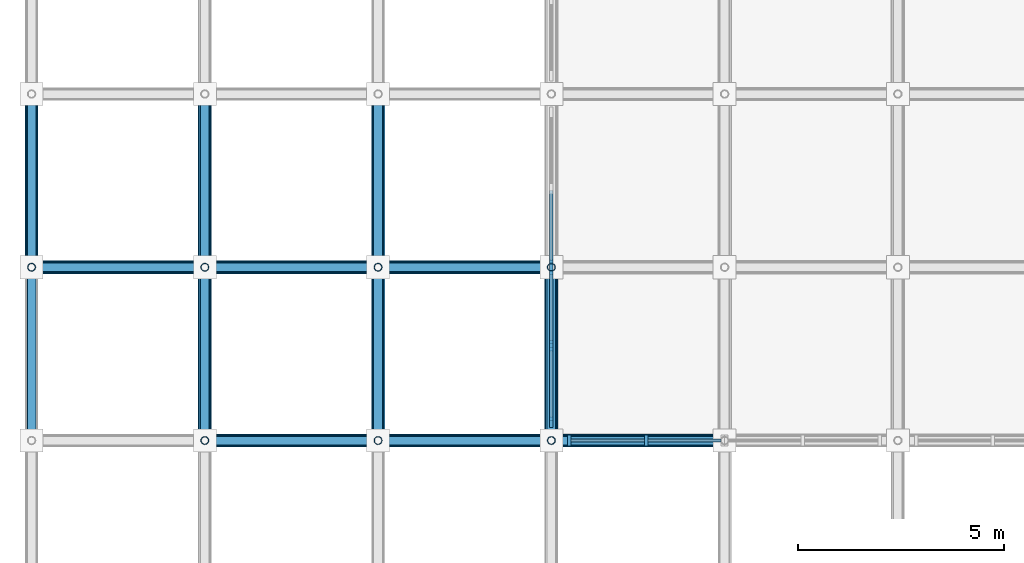
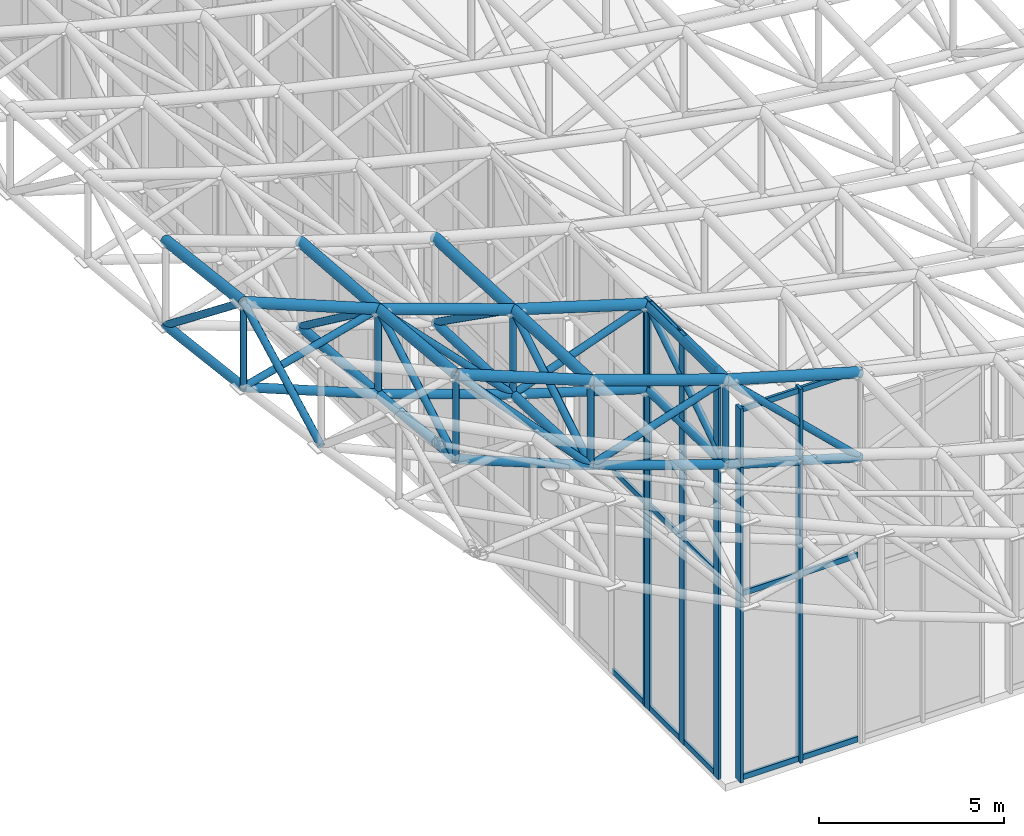
# One storey, part 4 of 93: 64 members, 3 elements without a shape of their own.
"""IFC4 building model written with IfcOpenShell, lengths in metres."""

from ifc_helpers import new_model, si_unit, direction, frame, origin, origin_2d, place, context, subcontext, project, spatial, rectangle, hollow_circle, extrude, material, material_profile, profile_set, type_object, element, aggregate, save


model = new_model("IFC4")

# Units and contexts
model_context = context("Model", 3, precision=1e-05, world=origin(), true_north=direction((0.0, 1.0)))
body_context = subcontext(model_context, "Body", "Model", "MODEL_VIEW")
ifc_project = project(units=[si_unit("LENGTHUNIT", "METRE"), si_unit("AREAUNIT", "SQUARE_METRE"), si_unit("VOLUMEUNIT", "CUBIC_METRE"), si_unit("PLANEANGLEUNIT", "RADIAN"), si_unit("MASSUNIT", "GRAM", prefix="KILO")], contexts=[model_context])

# Site, building, storey
site_placement = place(None, origin())
site = spatial("IfcSite", under=ifc_project, at=site_placement, CompositionType="ELEMENT")
building_placement = place(site_placement, origin())
building = spatial("IfcBuilding", under=site, at=building_placement, Name="Cumbredor Promenade Congress Hotel", CompositionType="ELEMENT")
storey_placement = place(building_placement, frame((0.0, 0.0, 21.840087890625)))
storey = spatial("IfcBuildingStorey", under=building, at=storey_placement, Name="L06", CompositionType="ELEMENT", Elevation=21.840087890625)

# Curtain wall, members
ifc_material_1 = material(Name="Thermally broken anodized aluminium and low-E glass", Category="aluminium")
curtain_wall_type = type_object("IfcCurtainWallType", Name="Stepped Pavilion Clerestory Curtain Wall CW-06", PredefinedType="NOTDEFINED", material=ifc_material_1)
curtain_wall_1_placement = place(storey_placement, origin())
curtain_wall_1 = element("IfcCurtainWall", 1, at=curtain_wall_1_placement, inside=storey, type_object=curtain_wall_type, Name="Plenary Congress Hall S Glazed Clerestory 1", PredefinedType="NOTDEFINED")
ifc_material_2 = material(Name="Thermally broken anodized aluminium", Category="aluminium")
ifc_material_profile_1 = material_profile(ifc_material_2, rectangle(XDim=0.0849609375, YDim=0.260009765625, at=origin_2d()), Name="ALU MULLION CLERESTORY 85x260")
ifc_profile_set_1 = profile_set([ifc_material_profile_1], Name="Thermally broken anodized aluminium")
member_type_1 = type_object("IfcMemberType", Name="Curtain Wall Mullion ML-04", PredefinedType="MULLION", material=ifc_profile_set_1)
member_1_placement = place(storey_placement, frame((8.840087890625, 8.39990234375, -0.01806640625), z_axis=(0.0, 0.0, 1.0), x_axis=(1.0, 0.0, 0.0)))
member_1 = element("IfcMember", 2, at=member_1_placement, type_object=member_type_1, Name="Plenary Congress Hall S Glazed Clerestory 1 Mullion 1", PredefinedType="MULLION", context=body_context, shape_type="SweptSolid", body=[
    extrude(rectangle(XDim=0.0849609375, YDim=0.260009765625, at=origin_2d()), origin(), (0.0, 0.0, 1.0), 12.32763671875),
])
member_2_placement = place(storey_placement, frame((10.699951171875, 8.39990234375, -0.01806640625), z_axis=(0.0, 0.0, 1.0), x_axis=(1.0, 0.0, 0.0)))
member_2 = element("IfcMember", 3, at=member_2_placement, type_object=member_type_1, Name="Plenary Congress Hall S Glazed Clerestory 1 Mullion 2", PredefinedType="MULLION", context=body_context, shape_type="SweptSolid", body=[
    extrude(rectangle(XDim=0.0849609375, YDim=0.260009765625, at=origin_2d()), origin(), (0.0, 0.0, 1.0), 12.32763671875),
])

curtain_wall_2_placement = place(storey_placement, origin())
curtain_wall_2 = element("IfcCurtainWall", 4, at=curtain_wall_2_placement, inside=storey, type_object=curtain_wall_type, Name="Plenary Congress Hall W Glazed Clerestory 1", PredefinedType="NOTDEFINED")
member_3_placement = place(storey_placement, frame((8.39990234375, 8.840087890625, -0.01806640625), z_axis=(0.0, 0.0, 1.0), x_axis=(1.0, 0.0, 0.0)))
member_3 = element("IfcMember", 5, at=member_3_placement, type_object=member_type_1, Name="Plenary Congress Hall W Glazed Clerestory 1 Mullion 1", PredefinedType="MULLION", context=body_context, shape_type="SweptSolid", body=[
    extrude(rectangle(XDim=0.0849609375, YDim=0.260009765625, at=origin_2d()), origin(), (0.0, 0.0, 1.0), 13.506103515625),
])
member_4_placement = place(storey_placement, frame((8.39990234375, 10.699951171875, -0.01806640625), z_axis=(0.0, 0.0, 1.0), x_axis=(1.0, 0.0, 0.0)))
member_4 = element("IfcMember", 6, at=member_4_placement, type_object=member_type_1, Name="Plenary Congress Hall W Glazed Clerestory 1 Mullion 2", PredefinedType="MULLION", context=body_context, shape_type="SweptSolid", body=[
    extrude(rectangle(XDim=0.0849609375, YDim=0.260009765625, at=origin_2d()), origin(), (0.0, 0.0, 1.0), 13.506103515625),
])
member_5_placement = place(storey_placement, frame((8.39990234375, 12.56005859375, -0.01806640625), z_axis=(0.0, 0.0, 1.0), x_axis=(1.0, 0.0, 0.0)))
member_5 = element("IfcMember", 7, at=member_5_placement, type_object=member_type_1, Name="Plenary Congress Hall W Glazed Clerestory 1 Mullion 3", PredefinedType="MULLION", context=body_context, shape_type="SweptSolid", body=[
    extrude(rectangle(XDim=0.0849609375, YDim=0.260009765625, at=origin_2d()), origin(), (0.0, 0.0, 1.0), 13.506103515625),
])

# Curtain wall, member
curtain_wall_3_placement = place(storey_placement, origin())
curtain_wall_3 = element("IfcCurtainWall", 8, at=curtain_wall_3_placement, inside=storey, type_object=curtain_wall_type, Name="Plenary Congress Hall W Glazed Clerestory 2", PredefinedType="NOTDEFINED")
member_6_placement = place(storey_placement, frame((8.39990234375, 12.639892578125, -0.01806640625), z_axis=(0.0, 0.0, 1.0), x_axis=(1.0, 0.0, 0.0)))
member_6 = element("IfcMember", 9, at=member_6_placement, type_object=member_type_1, Name="Plenary Congress Hall W Glazed Clerestory 2 Mullion 1", PredefinedType="MULLION", context=body_context, shape_type="SweptSolid", body=[
    extrude(rectangle(XDim=0.0849609375, YDim=0.260009765625, at=origin_2d()), origin(), (0.0, 0.0, 1.0), 13.466064453125),
])

# Member
ifc_material_profile_2 = material_profile(ifc_material_2, rectangle(XDim=0.080078125, YDim=0.179931640625, at=origin_2d()), Name="ALU TRANSOM 80x180")
ifc_profile_set_2 = profile_set([ifc_material_profile_2], Name="Thermally broken anodized aluminium")
member_type_2 = type_object("IfcMemberType", Name="Curtain Wall Transom TR-03", PredefinedType="USERDEFINED", material=ifc_profile_set_2)
member_7_placement = place(storey_placement, frame((8.882568359375, 8.39990234375, 0.079833984375), z_axis=(1.0, 0.0, 0.0), x_axis=(0.0, 1.0, 0.0)))
member_7 = element("IfcMember", 10, at=member_7_placement, type_object=member_type_2, Name="Plenary Congress Hall S Glazed Clerestory 1 Transom 1.1", ObjectType="TRANSOM", PredefinedType="USERDEFINED", context=body_context, shape_type="SweptSolid", body=[
    extrude(rectangle(XDim=0.080078125, YDim=0.179931640625, at=origin_2d()), origin(), (0.0, 0.0, 1.0), 1.77490234375),
])

member_8_placement = place(storey_placement, frame((8.882568359375, 8.39990234375, 6.139892578125), z_axis=(1.0, 0.0, 0.0), x_axis=(0.0, 1.0, 0.0)))
member_8 = element("IfcMember", 11, at=member_8_placement, type_object=member_type_2, Name="Plenary Congress Hall S Glazed Clerestory 1 Transom 1.2", ObjectType="TRANSOM", PredefinedType="USERDEFINED", context=body_context, shape_type="SweptSolid", body=[
    extrude(rectangle(XDim=0.080078125, YDim=0.179931640625, at=origin_2d()), origin(), (0.0, 0.0, 1.0), 1.77490234375),
])

member_9_placement = place(storey_placement, frame((8.882568359375, 8.39990234375, 12.2099609375), z_axis=(1.0, 0.0, 0.0), x_axis=(0.0, 1.0, 0.0)))
member_9 = element("IfcMember", 12, at=member_9_placement, type_object=member_type_2, Name="Plenary Congress Hall S Glazed Clerestory 1 Transom 1.3", ObjectType="TRANSOM", PredefinedType="USERDEFINED", context=body_context, shape_type="SweptSolid", body=[
    extrude(rectangle(XDim=0.080078125, YDim=0.179931640625, at=origin_2d()), origin(), (0.0, 0.0, 1.0), 1.77490234375),
])

member_10_placement = place(storey_placement, frame((10.742431640625, 8.39990234375, 0.079833984375), z_axis=(1.0, 0.0, 0.0), x_axis=(0.0, 1.0, 0.0)))
member_10 = element("IfcMember", 13, at=member_10_placement, type_object=member_type_2, Name="Plenary Congress Hall S Glazed Clerestory 1 Transom 2.1", ObjectType="TRANSOM", PredefinedType="USERDEFINED", context=body_context, shape_type="SweptSolid", body=[
    extrude(rectangle(XDim=0.080078125, YDim=0.179931640625, at=origin_2d()), origin(), (0.0, 0.0, 1.0), 1.775146484375),
])

member_11_placement = place(storey_placement, frame((10.742431640625, 8.39990234375, 6.139892578125), z_axis=(1.0, 0.0, 0.0), x_axis=(0.0, 1.0, 0.0)))
member_11 = element("IfcMember", 14, at=member_11_placement, type_object=member_type_2, Name="Plenary Congress Hall S Glazed Clerestory 1 Transom 2.2", ObjectType="TRANSOM", PredefinedType="USERDEFINED", context=body_context, shape_type="SweptSolid", body=[
    extrude(rectangle(XDim=0.080078125, YDim=0.179931640625, at=origin_2d()), origin(), (0.0, 0.0, 1.0), 1.775146484375),
])

member_12_placement = place(storey_placement, frame((10.742431640625, 8.39990234375, 12.2099609375), z_axis=(1.0, 0.0, 0.0), x_axis=(0.0, 1.0, 0.0)))
member_12 = element("IfcMember", 15, at=member_12_placement, type_object=member_type_2, Name="Plenary Congress Hall S Glazed Clerestory 1 Transom 2.3", ObjectType="TRANSOM", PredefinedType="USERDEFINED", context=body_context, shape_type="SweptSolid", body=[
    extrude(rectangle(XDim=0.080078125, YDim=0.179931640625, at=origin_2d()), origin(), (0.0, 0.0, 1.0), 1.775146484375),
])

aggregate(curtain_wall_1, [member_1, member_2, member_7, member_8, member_9, member_10, member_11, member_12])

member_13_placement = place(storey_placement, frame((8.39990234375, 8.882568359375, 0.079833984375), z_axis=(0.0, 1.0, 0.0), x_axis=(-1.0, 0.0, 0.0)))
member_13 = element("IfcMember", 16, at=member_13_placement, type_object=member_type_2, Name="Plenary Congress Hall W Glazed Clerestory 1 Transom 1.1", ObjectType="TRANSOM", PredefinedType="USERDEFINED", context=body_context, shape_type="SweptSolid", body=[
    extrude(rectangle(XDim=0.080078125, YDim=0.179931640625, at=origin_2d()), origin(), (0.0, 0.0, 1.0), 1.77490234375),
])

member_14_placement = place(storey_placement, frame((8.39990234375, 8.882568359375, 6.72998046875), z_axis=(0.0, 1.0, 0.0), x_axis=(-1.0, 0.0, 0.0)))
member_14 = element("IfcMember", 17, at=member_14_placement, type_object=member_type_2, Name="Plenary Congress Hall W Glazed Clerestory 1 Transom 1.2", ObjectType="TRANSOM", PredefinedType="USERDEFINED", context=body_context, shape_type="SweptSolid", body=[
    extrude(rectangle(XDim=0.080078125, YDim=0.179931640625, at=origin_2d()), origin(), (0.0, 0.0, 1.0), 1.77490234375),
])

member_15_placement = place(storey_placement, frame((8.39990234375, 8.882568359375, 13.389892578125), z_axis=(0.0, 1.0, 0.0), x_axis=(-1.0, 0.0, 0.0)))
member_15 = element("IfcMember", 18, at=member_15_placement, type_object=member_type_2, Name="Plenary Congress Hall W Glazed Clerestory 1 Transom 1.3", ObjectType="TRANSOM", PredefinedType="USERDEFINED", context=body_context, shape_type="SweptSolid", body=[
    extrude(rectangle(XDim=0.080078125, YDim=0.179931640625, at=origin_2d()), origin(), (0.0, 0.0, 1.0), 1.77490234375),
])

member_16_placement = place(storey_placement, frame((8.39990234375, 10.742431640625, 0.079833984375), z_axis=(0.0, 1.0, 0.0), x_axis=(-1.0, 0.0, 0.0)))
member_16 = element("IfcMember", 19, at=member_16_placement, type_object=member_type_2, Name="Plenary Congress Hall W Glazed Clerestory 1 Transom 2.1", ObjectType="TRANSOM", PredefinedType="USERDEFINED", context=body_context, shape_type="SweptSolid", body=[
    extrude(rectangle(XDim=0.080078125, YDim=0.179931640625, at=origin_2d()), origin(), (0.0, 0.0, 1.0), 1.775146484375),
])

member_17_placement = place(storey_placement, frame((8.39990234375, 10.742431640625, 6.72998046875), z_axis=(0.0, 1.0, 0.0), x_axis=(-1.0, 0.0, 0.0)))
member_17 = element("IfcMember", 20, at=member_17_placement, type_object=member_type_2, Name="Plenary Congress Hall W Glazed Clerestory 1 Transom 2.2", ObjectType="TRANSOM", PredefinedType="USERDEFINED", context=body_context, shape_type="SweptSolid", body=[
    extrude(rectangle(XDim=0.080078125, YDim=0.179931640625, at=origin_2d()), origin(), (0.0, 0.0, 1.0), 1.775146484375),
])

member_18_placement = place(storey_placement, frame((8.39990234375, 10.742431640625, 13.389892578125), z_axis=(0.0, 1.0, 0.0), x_axis=(-1.0, 0.0, 0.0)))
member_18 = element("IfcMember", 21, at=member_18_placement, type_object=member_type_2, Name="Plenary Congress Hall W Glazed Clerestory 1 Transom 2.3", ObjectType="TRANSOM", PredefinedType="USERDEFINED", context=body_context, shape_type="SweptSolid", body=[
    extrude(rectangle(XDim=0.080078125, YDim=0.179931640625, at=origin_2d()), origin(), (0.0, 0.0, 1.0), 1.775146484375),
])

aggregate(curtain_wall_2, [member_3, member_4, member_5, member_13, member_14, member_15, member_16, member_17, member_18])

member_19_placement = place(storey_placement, frame((8.39990234375, 12.6826171875, 0.079833984375), z_axis=(0.0, 1.0, 0.0), x_axis=(-1.0, 0.0, 0.0)))
member_19 = element("IfcMember", 22, at=member_19_placement, type_object=member_type_2, Name="Plenary Congress Hall W Glazed Clerestory 2 Transom 1.1", ObjectType="TRANSOM", PredefinedType="USERDEFINED", context=body_context, shape_type="SweptSolid", body=[
    extrude(rectangle(XDim=0.080078125, YDim=0.179931640625, at=origin_2d()), origin(), (0.0, 0.0, 1.0), 1.77490234375),
])

member_20_placement = place(storey_placement, frame((8.39990234375, 12.6826171875, 6.7099609375), z_axis=(0.0, 1.0, 0.0), x_axis=(-1.0, 0.0, 0.0)))
member_20 = element("IfcMember", 23, at=member_20_placement, type_object=member_type_2, Name="Plenary Congress Hall W Glazed Clerestory 2 Transom 1.2", ObjectType="TRANSOM", PredefinedType="USERDEFINED", context=body_context, shape_type="SweptSolid", body=[
    extrude(rectangle(XDim=0.080078125, YDim=0.179931640625, at=origin_2d()), origin(), (0.0, 0.0, 1.0), 1.77490234375),
])

aggregate(curtain_wall_3, [member_6, member_19, member_20])

# Members
ifc_material_3 = material(Name="Steel ASTM A500 Grade C", Category="steel")
ifc_material_profile_3 = material_profile(ifc_material_3, hollow_circle(Radius=0.136474609375, WallThickness=0.01611328125, at=origin_2d()), Name="CHS 273.0x16")
ifc_profile_set_3 = profile_set([ifc_material_profile_3], Name="Steel ASTM A500 Grade C")
member_type_3 = type_object("IfcMemberType", Name="Plenary Roof Space Frame Bottom Chord", PredefinedType="CHORD", material=ifc_profile_set_3)
member_21_placement = place(storey_placement, frame((0.0, 8.39990234375, 13.66845703125), z_axis=(0.929112256064, 0.0, -0.369797803713), x_axis=(0.0, 1.0, 0.0)))
element("IfcMember", 24, at=member_21_placement, inside=storey, type_object=member_type_3, Name="Plenary Congress Hall X Bottom Chord 2.3", PredefinedType="CHORD", context=body_context, shape_type="SweptSolid", body=[
    extrude(hollow_circle(Radius=0.136474609375, WallThickness=0.01611328125, at=origin_2d()), origin(), (0.0, 0.0, 1.0), 4.5205078125),
])
member_22_placement = place(storey_placement, frame((4.199951171875, 8.39990234375, 11.996826171875), z_axis=(0.945323333671, 0.0, -0.326134626829), x_axis=(0.0, 1.0, 0.0)))
element("IfcMember", 25, at=member_22_placement, inside=storey, type_object=member_type_3, Name="Plenary Congress Hall X Bottom Chord 3.3", PredefinedType="CHORD", context=body_context, shape_type="SweptSolid", body=[
    extrude(hollow_circle(Radius=0.136474609375, WallThickness=0.01611328125, at=origin_2d()), origin(), (0.0, 0.0, 1.0), 4.44287109375),
])
member_23_placement = place(storey_placement, frame((8.39990234375, 8.39990234375, 10.5478515625), z_axis=(0.959922473099, 0.0, -0.28026566975), x_axis=(0.0, 1.0, 0.0)))
element("IfcMember", 26, at=member_23_placement, inside=storey, type_object=member_type_3, Name="Plenary Congress Hall X Bottom Chord 4.3", PredefinedType="CHORD", context=body_context, shape_type="SweptSolid", body=[
    extrude(hollow_circle(Radius=0.136474609375, WallThickness=0.01611328125, at=origin_2d()), origin(), (0.0, 0.0, 1.0), 4.37548828125),
])
member_24_placement = place(storey_placement, frame((-4.199951171875, 12.60009765625, 14.967041015625), z_axis=(0.927417042186, 0.0, -0.374028915811), x_axis=(0.0, 1.0, 0.0)))
element("IfcMember", 27, at=member_24_placement, inside=storey, type_object=member_type_3, Name="Plenary Congress Hall X Bottom Chord 1.4", PredefinedType="CHORD", context=body_context, shape_type="SweptSolid", body=[
    extrude(hollow_circle(Radius=0.136474609375, WallThickness=0.01611328125, at=origin_2d()), origin(), (0.0, 0.0, 1.0), 4.528564453125),
])
member_25_placement = place(storey_placement, frame((0.0, 12.60009765625, 13.273193359375), z_axis=(0.942760446136, 0.0, -0.333470750145), x_axis=(0.0, 1.0, 0.0)))
element("IfcMember", 28, at=member_25_placement, inside=storey, type_object=member_type_3, Name="Plenary Congress Hall X Bottom Chord 2.4", PredefinedType="CHORD", context=body_context, shape_type="SweptSolid", body=[
    extrude(hollow_circle(Radius=0.136474609375, WallThickness=0.01611328125, at=origin_2d()), origin(), (0.0, 0.0, 1.0), 4.454833984375),
])
member_26_placement = place(storey_placement, frame((4.199951171875, 12.60009765625, 11.78759765625), z_axis=(0.95607892243, 0.0, -0.293109355165), x_axis=(0.0, 1.0, 0.0)))
element("IfcMember", 29, at=member_26_placement, inside=storey, type_object=member_type_3, Name="Plenary Congress Hall X Bottom Chord 3.4", PredefinedType="CHORD", context=body_context, shape_type="SweptSolid", body=[
    extrude(hollow_circle(Radius=0.136474609375, WallThickness=0.01611328125, at=origin_2d()), origin(), (0.0, 0.0, 1.0), 4.392822265625),
])
member_27_placement = place(storey_placement, frame((-4.199951171875, 12.60009765625, 14.967041015625), z_axis=(0.0, 0.992776544314, -0.119978052411), x_axis=(-1.0, 0.0, 0.0)))
element("IfcMember", 30, at=member_27_placement, inside=storey, type_object=member_type_3, Name="Plenary Congress Hall Y Bottom Chord 1.4", PredefinedType="CHORD", context=body_context, shape_type="SweptSolid", body=[
    extrude(hollow_circle(Radius=0.136474609375, WallThickness=0.01611328125, at=origin_2d()), origin(), (0.0, 0.0, 1.0), 4.23046875),
])
member_28_placement = place(storey_placement, frame((0.0, 8.39990234375, 13.66845703125), z_axis=(0.0, 0.995601223346, -0.093692070483), x_axis=(-1.0, 0.0, 0.0)))
element("IfcMember", 31, at=member_28_placement, inside=storey, type_object=member_type_3, Name="Plenary Congress Hall Y Bottom Chord 2.3", PredefinedType="CHORD", context=body_context, shape_type="SweptSolid", body=[
    extrude(hollow_circle(Radius=0.136474609375, WallThickness=0.01611328125, at=origin_2d()), origin(), (0.0, 0.0, 1.0), 4.21875),
])
member_29_placement = place(storey_placement, frame((0.0, 12.60009765625, 13.273193359375), z_axis=(0.0, 0.996935010979, -0.078234160601), x_axis=(-1.0, 0.0, 0.0)))
element("IfcMember", 32, at=member_29_placement, inside=storey, type_object=member_type_3, Name="Plenary Congress Hall Y Bottom Chord 2.4", PredefinedType="CHORD", context=body_context, shape_type="SweptSolid", body=[
    extrude(hollow_circle(Radius=0.136474609375, WallThickness=0.01611328125, at=origin_2d()), origin(), (0.0, 0.0, 1.0), 4.212890625),
])
member_30_placement = place(storey_placement, frame((4.199951171875, 8.39990234375, 11.996826171875), z_axis=(0.0, 0.998761587168, -0.049752306452), x_axis=(-1.0, 0.0, 0.0)))
element("IfcMember", 33, at=member_30_placement, inside=storey, type_object=member_type_3, Name="Plenary Congress Hall Y Bottom Chord 3.3", PredefinedType="CHORD", context=body_context, shape_type="SweptSolid", body=[
    extrude(hollow_circle(Radius=0.136474609375, WallThickness=0.01611328125, at=origin_2d()), origin(), (0.0, 0.0, 1.0), 4.205322265625),
])
member_31_placement = place(storey_placement, frame((4.199951171875, 12.60009765625, 11.78759765625), z_axis=(0.0, 0.999139804036, -0.041468686862), x_axis=(-1.0, 0.0, 0.0)))
element("IfcMember", 34, at=member_31_placement, inside=storey, type_object=member_type_3, Name="Plenary Congress Hall Y Bottom Chord 3.4", PredefinedType="CHORD", context=body_context, shape_type="SweptSolid", body=[
    extrude(hollow_circle(Radius=0.136474609375, WallThickness=0.01611328125, at=origin_2d()), origin(), (0.0, 0.0, 1.0), 4.20361328125),
])
member_32_placement = place(storey_placement, frame((8.39990234375, 8.39990234375, 10.5478515625), z_axis=(0.0, 0.999935109517, -0.011391960094), x_axis=(-1.0, 0.0, 0.0)))
element("IfcMember", 35, at=member_32_placement, inside=storey, type_object=member_type_3, Name="Plenary Congress Hall Y Bottom Chord 4.3", PredefinedType="CHORD", context=body_context, shape_type="SweptSolid", body=[
    extrude(hollow_circle(Radius=0.136474609375, WallThickness=0.01611328125, at=origin_2d()), origin(), (0.0, 0.0, 1.0), 4.200439453125),
])
ifc_material_profile_4 = material_profile(ifc_material_3, hollow_circle(Radius=0.161865234375, WallThickness=0.01611328125, at=origin_2d()), Name="CHS 323.9x16")
ifc_profile_set_4 = profile_set([ifc_material_profile_4], Name="Steel ASTM A500 Grade C")
member_type_4 = type_object("IfcMemberType", Name="Plenary Roof Space Frame Top Chord", PredefinedType="CHORD", material=ifc_profile_set_4)
member_33_placement = place(storey_placement, frame((0.0, 8.39990234375, 16.468505859375), z_axis=(0.929112256064, 0.0, -0.369797803713), x_axis=(0.0, 1.0, 0.0)))
element("IfcMember", 36, at=member_33_placement, inside=storey, type_object=member_type_4, Name="Plenary Congress Hall X Top Chord 2.3", PredefinedType="CHORD", context=body_context, shape_type="SweptSolid", body=[
    extrude(hollow_circle(Radius=0.161865234375, WallThickness=0.01611328125, at=origin_2d()), origin(), (0.0, 0.0, 1.0), 4.5205078125),
])
member_34_placement = place(storey_placement, frame((4.199951171875, 8.39990234375, 14.796875), z_axis=(0.945323333671, 0.0, -0.326134626829), x_axis=(0.0, 1.0, 0.0)))
element("IfcMember", 37, at=member_34_placement, inside=storey, type_object=member_type_4, Name="Plenary Congress Hall X Top Chord 3.3", PredefinedType="CHORD", context=body_context, shape_type="SweptSolid", body=[
    extrude(hollow_circle(Radius=0.161865234375, WallThickness=0.01611328125, at=origin_2d()), origin(), (0.0, 0.0, 1.0), 4.44287109375),
])
member_35_placement = place(storey_placement, frame((8.39990234375, 8.39990234375, 13.347900390625), z_axis=(0.959922473099, 0.0, -0.28026566975), x_axis=(0.0, 1.0, 0.0)))
element("IfcMember", 38, at=member_35_placement, inside=storey, type_object=member_type_4, Name="Plenary Congress Hall X Top Chord 4.3", PredefinedType="CHORD", context=body_context, shape_type="SweptSolid", body=[
    extrude(hollow_circle(Radius=0.161865234375, WallThickness=0.01611328125, at=origin_2d()), origin(), (0.0, 0.0, 1.0), 4.37548828125),
])
member_36_placement = place(storey_placement, frame((-4.199951171875, 12.60009765625, 17.76708984375), z_axis=(0.927417042186, 0.0, -0.374028915811), x_axis=(0.0, 1.0, 0.0)))
element("IfcMember", 39, at=member_36_placement, inside=storey, type_object=member_type_4, Name="Plenary Congress Hall X Top Chord 1.4", PredefinedType="CHORD", context=body_context, shape_type="SweptSolid", body=[
    extrude(hollow_circle(Radius=0.161865234375, WallThickness=0.01611328125, at=origin_2d()), origin(), (0.0, 0.0, 1.0), 4.528564453125),
])
member_37_placement = place(storey_placement, frame((0.0, 12.60009765625, 16.0732421875), z_axis=(0.942760446136, 0.0, -0.333470750145), x_axis=(0.0, 1.0, 0.0)))
element("IfcMember", 40, at=member_37_placement, inside=storey, type_object=member_type_4, Name="Plenary Congress Hall X Top Chord 2.4", PredefinedType="CHORD", context=body_context, shape_type="SweptSolid", body=[
    extrude(hollow_circle(Radius=0.161865234375, WallThickness=0.01611328125, at=origin_2d()), origin(), (0.0, 0.0, 1.0), 4.454833984375),
])
member_38_placement = place(storey_placement, frame((4.199951171875, 12.60009765625, 14.587646484375), z_axis=(0.95607892243, 0.0, -0.293109355165), x_axis=(0.0, 1.0, 0.0)))
element("IfcMember", 41, at=member_38_placement, inside=storey, type_object=member_type_4, Name="Plenary Congress Hall X Top Chord 3.4", PredefinedType="CHORD", context=body_context, shape_type="SweptSolid", body=[
    extrude(hollow_circle(Radius=0.161865234375, WallThickness=0.01611328125, at=origin_2d()), origin(), (0.0, 0.0, 1.0), 4.392822265625),
])
member_39_placement = place(storey_placement, frame((-4.199951171875, 12.60009765625, 17.76708984375), z_axis=(0.0, 0.992776544314, -0.119978052411), x_axis=(-1.0, 0.0, 0.0)))
element("IfcMember", 42, at=member_39_placement, inside=storey, type_object=member_type_4, Name="Plenary Congress Hall Y Top Chord 1.4", PredefinedType="CHORD", context=body_context, shape_type="SweptSolid", body=[
    extrude(hollow_circle(Radius=0.161865234375, WallThickness=0.01611328125, at=origin_2d()), origin(), (0.0, 0.0, 1.0), 4.23046875),
])
member_40_placement = place(storey_placement, frame((0.0, 8.39990234375, 16.468505859375), z_axis=(0.0, 0.995601223346, -0.093692070483), x_axis=(-1.0, 0.0, 0.0)))
element("IfcMember", 43, at=member_40_placement, inside=storey, type_object=member_type_4, Name="Plenary Congress Hall Y Top Chord 2.3", PredefinedType="CHORD", context=body_context, shape_type="SweptSolid", body=[
    extrude(hollow_circle(Radius=0.161865234375, WallThickness=0.01611328125, at=origin_2d()), origin(), (0.0, 0.0, 1.0), 4.21875),
])
member_41_placement = place(storey_placement, frame((0.0, 12.60009765625, 16.0732421875), z_axis=(0.0, 0.996935010979, -0.078234160601), x_axis=(-1.0, 0.0, 0.0)))
element("IfcMember", 44, at=member_41_placement, inside=storey, type_object=member_type_4, Name="Plenary Congress Hall Y Top Chord 2.4", PredefinedType="CHORD", context=body_context, shape_type="SweptSolid", body=[
    extrude(hollow_circle(Radius=0.161865234375, WallThickness=0.01611328125, at=origin_2d()), origin(), (0.0, 0.0, 1.0), 4.212890625),
])
member_42_placement = place(storey_placement, frame((4.199951171875, 8.39990234375, 14.796875), z_axis=(0.0, 0.998761587168, -0.049752306452), x_axis=(-1.0, 0.0, 0.0)))
element("IfcMember", 45, at=member_42_placement, inside=storey, type_object=member_type_4, Name="Plenary Congress Hall Y Top Chord 3.3", PredefinedType="CHORD", context=body_context, shape_type="SweptSolid", body=[
    extrude(hollow_circle(Radius=0.161865234375, WallThickness=0.01611328125, at=origin_2d()), origin(), (0.0, 0.0, 1.0), 4.205322265625),
])
member_43_placement = place(storey_placement, frame((4.199951171875, 12.60009765625, 14.587646484375), z_axis=(0.0, 0.999139804036, -0.041468686862), x_axis=(-1.0, 0.0, 0.0)))
element("IfcMember", 46, at=member_43_placement, inside=storey, type_object=member_type_4, Name="Plenary Congress Hall Y Top Chord 3.4", PredefinedType="CHORD", context=body_context, shape_type="SweptSolid", body=[
    extrude(hollow_circle(Radius=0.161865234375, WallThickness=0.01611328125, at=origin_2d()), origin(), (0.0, 0.0, 1.0), 4.20361328125),
])
member_44_placement = place(storey_placement, frame((8.39990234375, 8.39990234375, 13.347900390625), z_axis=(0.0, 0.999935109517, -0.011391960094), x_axis=(-1.0, 0.0, 0.0)))
element("IfcMember", 47, at=member_44_placement, inside=storey, type_object=member_type_4, Name="Plenary Congress Hall Y Top Chord 4.3", PredefinedType="CHORD", context=body_context, shape_type="SweptSolid", body=[
    extrude(hollow_circle(Radius=0.161865234375, WallThickness=0.01611328125, at=origin_2d()), origin(), (0.0, 0.0, 1.0), 4.200439453125),
])
ifc_material_profile_5 = material_profile(ifc_material_3, hollow_circle(Radius=0.109619140625, WallThickness=0.012451171875, at=origin_2d()), Name="CHS 219.1x12.5")
ifc_profile_set_5 = profile_set([ifc_material_profile_5], Name="Steel ASTM A500 Grade C")
member_type_5 = type_object("IfcMemberType", Name="Space Frame Web Diagonal D1", PredefinedType="BRACE", material=ifc_profile_set_5)
member_45_placement = place(storey_placement, frame((0.0, 8.39990234375, 16.468505859375), z_axis=(0.68461331893, 0.0, -0.728906443615), x_axis=(0.0, 1.0, 0.0)))
element("IfcMember", 48, at=member_45_placement, inside=storey, type_object=member_type_5, Name="Plenary Congress Hall X Web Diagonal 2.3", PredefinedType="BRACE", context=body_context, shape_type="SweptSolid", body=[
    extrude(hollow_circle(Radius=0.109619140625, WallThickness=0.012451171875, at=origin_2d()), origin(), (0.0, 0.0, 1.0), 6.134765625),
])
member_46_placement = place(storey_placement, frame((4.199951171875, 8.39990234375, 11.996826171875), z_axis=(0.951956565311, 0.0, 0.306233077511), x_axis=(0.0, 1.0, 0.0)))
element("IfcMember", 49, at=member_46_placement, inside=storey, type_object=member_type_5, Name="Plenary Congress Hall X Web Diagonal 3.3", PredefinedType="BRACE", context=body_context, shape_type="SweptSolid", body=[
    extrude(hollow_circle(Radius=0.109619140625, WallThickness=0.012451171875, at=origin_2d()), origin(), (0.0, 0.0, 1.0), 4.411865234375),
])
member_47_placement = place(storey_placement, frame((8.39990234375, 8.39990234375, 13.347900390625), z_axis=(0.721886884821, 0.0, -0.692011073266), x_axis=(0.0, 1.0, 0.0)))
element("IfcMember", 50, at=member_47_placement, inside=storey, type_object=member_type_5, Name="Plenary Congress Hall X Web Diagonal 4.3", PredefinedType="BRACE", context=body_context, shape_type="SweptSolid", body=[
    extrude(hollow_circle(Radius=0.109619140625, WallThickness=0.012451171875, at=origin_2d()), origin(), (0.0, 0.0, 1.0), 5.818359375),
])
member_48_placement = place(storey_placement, frame((-4.199951171875, 12.60009765625, 14.967041015625), z_axis=(0.967020633306, 0.0, 0.254698046243), x_axis=(0.0, 1.0, 0.0)))
element("IfcMember", 51, at=member_48_placement, inside=storey, type_object=member_type_5, Name="Plenary Congress Hall X Web Diagonal 1.4", PredefinedType="BRACE", context=body_context, shape_type="SweptSolid", body=[
    extrude(hollow_circle(Radius=0.109619140625, WallThickness=0.012451171875, at=origin_2d()), origin(), (0.0, 0.0, 1.0), 4.34326171875),
])
member_49_placement = place(storey_placement, frame((0.0, 12.60009765625, 16.0732421875), z_axis=(0.699930242693, 0.0, -0.714211212012), x_axis=(0.0, 1.0, 0.0)))
element("IfcMember", 52, at=member_49_placement, inside=storey, type_object=member_type_5, Name="Plenary Congress Hall X Web Diagonal 2.4", PredefinedType="BRACE", context=body_context, shape_type="SweptSolid", body=[
    extrude(hollow_circle(Radius=0.109619140625, WallThickness=0.012451171875, at=origin_2d()), origin(), (0.0, 0.0, 1.0), 6.00048828125),
])
member_50_placement = place(storey_placement, frame((4.199951171875, 12.60009765625, 11.78759765625), z_axis=(0.940853941796, 0.0, 0.338812426288), x_axis=(0.0, 1.0, 0.0)))
element("IfcMember", 53, at=member_50_placement, inside=storey, type_object=member_type_5, Name="Plenary Congress Hall X Web Diagonal 3.4", PredefinedType="BRACE", context=body_context, shape_type="SweptSolid", body=[
    extrude(hollow_circle(Radius=0.109619140625, WallThickness=0.012451171875, at=origin_2d()), origin(), (0.0, 0.0, 1.0), 4.4638671875),
])
member_51_placement = place(storey_placement, frame((-4.199951171875, 8.39990234375, 15.575927734375), z_axis=(0.0, 0.886605979899, 0.462525498116), x_axis=(-1.0, 0.0, 0.0)))
element("IfcMember", 54, at=member_51_placement, inside=storey, type_object=member_type_5, Name="Plenary Congress Hall Y Web Diagonal 1.3", PredefinedType="BRACE", context=body_context, shape_type="SweptSolid", body=[
    extrude(hollow_circle(Radius=0.109619140625, WallThickness=0.012451171875, at=origin_2d()), origin(), (0.0, 0.0, 1.0), 4.7373046875),
])
member_52_placement = place(storey_placement, frame((-4.199951171875, 12.60009765625, 17.76708984375), z_axis=(0.0, 0.785622163595, -0.618706567016), x_axis=(-1.0, 0.0, 0.0)))
element("IfcMember", 55, at=member_52_placement, inside=storey, type_object=member_type_5, Name="Plenary Congress Hall Y Web Diagonal 1.4", PredefinedType="BRACE", context=body_context, shape_type="SweptSolid", body=[
    extrude(hollow_circle(Radius=0.109619140625, WallThickness=0.012451171875, at=origin_2d()), origin(), (0.0, 0.0, 1.0), 5.345947265625),
])
member_53_placement = place(storey_placement, frame((0.0, 8.39990234375, 13.66845703125), z_axis=(0.0, 0.867826873598, 0.496866699892), x_axis=(-1.0, 0.0, 0.0)))
element("IfcMember", 56, at=member_53_placement, inside=storey, type_object=member_type_5, Name="Plenary Congress Hall Y Web Diagonal 2.3", PredefinedType="BRACE", context=body_context, shape_type="SweptSolid", body=[
    extrude(hollow_circle(Radius=0.109619140625, WallThickness=0.012451171875, at=origin_2d()), origin(), (0.0, 0.0, 1.0), 4.83984375),
])
member_54_placement = place(storey_placement, frame((0.0, 12.60009765625, 16.0732421875), z_axis=(0.0, 0.80185874336, -0.597513644779), x_axis=(-1.0, 0.0, 0.0)))
element("IfcMember", 57, at=member_54_placement, inside=storey, type_object=member_type_5, Name="Plenary Congress Hall Y Web Diagonal 2.4", PredefinedType="BRACE", context=body_context, shape_type="SweptSolid", body=[
    extrude(hollow_circle(Radius=0.109619140625, WallThickness=0.012451171875, at=origin_2d()), origin(), (0.0, 0.0, 1.0), 5.23779296875),
])
member_55_placement = place(storey_placement, frame((4.199951171875, 8.39990234375, 11.996826171875), z_axis=(0.0, 0.851107503378, 0.524991445353), x_axis=(-1.0, 0.0, 0.0)))
element("IfcMember", 58, at=member_55_placement, inside=storey, type_object=member_type_5, Name="Plenary Congress Hall Y Web Diagonal 3.3", PredefinedType="BRACE", context=body_context, shape_type="SweptSolid", body=[
    extrude(hollow_circle(Radius=0.109619140625, WallThickness=0.012451171875, at=origin_2d()), origin(), (0.0, 0.0, 1.0), 4.93505859375),
])
member_56_placement = place(storey_placement, frame((4.199951171875, 12.60009765625, 14.587646484375), z_axis=(0.0, 0.816079483791, -0.577939682092), x_axis=(-1.0, 0.0, 0.0)))
element("IfcMember", 59, at=member_56_placement, inside=storey, type_object=member_type_5, Name="Plenary Congress Hall Y Web Diagonal 3.4", PredefinedType="BRACE", context=body_context, shape_type="SweptSolid", body=[
    extrude(hollow_circle(Radius=0.109619140625, WallThickness=0.012451171875, at=origin_2d()), origin(), (0.0, 0.0, 1.0), 5.146484375),
])
member_57_placement = place(storey_placement, frame((8.39990234375, 8.39990234375, 10.5478515625), z_axis=(0.0, 0.836429619318, 0.548074348905), x_axis=(-1.0, 0.0, 0.0)))
element("IfcMember", 60, at=member_57_placement, inside=storey, type_object=member_type_5, Name="Plenary Congress Hall Y Web Diagonal 4.3", PredefinedType="BRACE", context=body_context, shape_type="SweptSolid", body=[
    extrude(hollow_circle(Radius=0.109619140625, WallThickness=0.012451171875, at=origin_2d()), origin(), (0.0, 0.0, 1.0), 5.021484375),
])
ifc_material_profile_6 = material_profile(ifc_material_3, hollow_circle(Radius=0.096923828125, WallThickness=0.010009765625, at=origin_2d()), Name="CHS 193.7x10")
ifc_profile_set_6 = profile_set([ifc_material_profile_6], Name="Steel ASTM A500 Grade C")
member_type_6 = type_object("IfcMemberType", Name="Space Frame Web Post P1", PredefinedType="BRACE", material=ifc_profile_set_6)
for number, where, z_axis, x_axis, name in (
    (61, (-4.199951171875, 12.60009765625, 14.967041015625), (0.0, 0.0, 1.0), (1.0, 0.0, 0.0), "Plenary Congress Hall Space Frame Web Post 1.4"),
    (62, (0.0, 8.39990234375, 13.66845703125), (0.0, 0.0, 1.0), (1.0, 0.0, 0.0), "Plenary Congress Hall Space Frame Web Post 2.3"),
    (63, (0.0, 12.60009765625, 13.273193359375), (0.0, 0.0, 1.0), (1.0, 0.0, 0.0), "Plenary Congress Hall Space Frame Web Post 2.4"),
    (64, (4.199951171875, 8.39990234375, 11.996826171875), (0.0, 0.0, 1.0), (1.0, 0.0, 0.0), "Plenary Congress Hall Space Frame Web Post 3.3"),
    (65, (4.199951171875, 12.60009765625, 11.78759765625), (0.0, 0.0, 1.0), (1.0, 0.0, 0.0), "Plenary Congress Hall Space Frame Web Post 3.4"),
    (66, (8.39990234375, 8.39990234375, 10.5478515625), (0.0, 0.0, 1.0), (1.0, 0.0, 0.0), "Plenary Congress Hall Space Frame Web Post 4.3"),
    (67, (8.39990234375, 12.60009765625, 10.5), (0.0, 0.0, 1.0), (1.0, 0.0, 0.0), "Plenary Congress Hall Space Frame Web Post 4.4"),
):
    element("IfcMember", number, at=place(storey_placement, frame(where, z_axis=z_axis, x_axis=x_axis)), inside=storey, type_object=member_type_6, Name=name, PredefinedType="BRACE", context=body_context, shape_type="SweptSolid", body=[
        extrude(hollow_circle(Radius=0.096923828125, WallThickness=0.010009765625, at=origin_2d()), origin(), (0.0, 0.0, 1.0), 2.800048828125),
    ])

save(model, "model.ifc")
